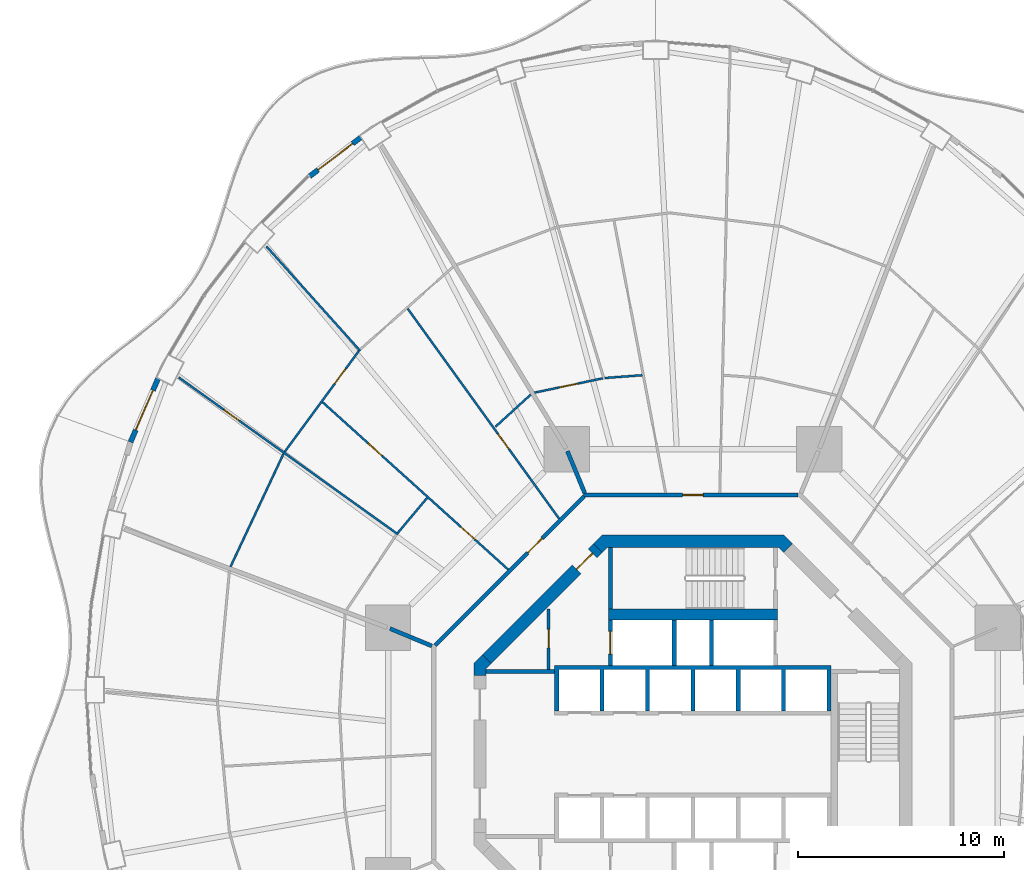
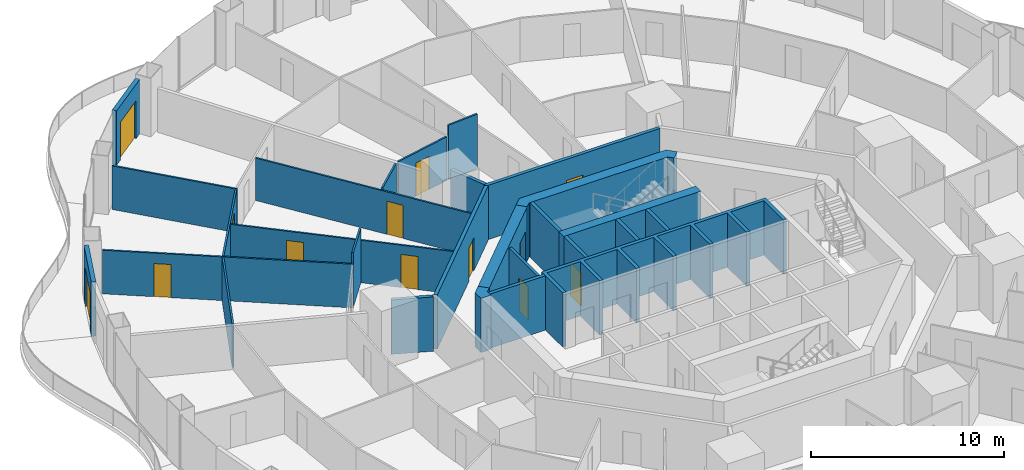
# One storey, part 17 of 22: 27 walls, 13 doors, 13 openings.
"""IFC4 building model written with IfcOpenShell, lengths in metres."""

from ifc_helpers import new_model, si_unit, direction, frame, frame_2d, origin, place, context, subcontext, project, spatial, polyline, rectangle, outline, extrude, material, layer, layer_set, type_object, element, fill, save


model = new_model("IFC4")

# Units and contexts
model_context = context("Model", 3, precision=1e-05, world=origin(), true_north=direction((0.0, 1.0)))
body_context = subcontext(model_context, "Body", "Model", "MODEL_VIEW")
ifc_project = project(units=[si_unit("LENGTHUNIT", "METRE"), si_unit("AREAUNIT", "SQUARE_METRE"), si_unit("VOLUMEUNIT", "CUBIC_METRE"), si_unit("PLANEANGLEUNIT", "RADIAN"), si_unit("MASSUNIT", "GRAM", prefix="KILO")], contexts=[model_context])

# Site, building, storey
site_placement = place(None, origin())
site = spatial("IfcSite", under=ifc_project, at=site_placement, CompositionType="ELEMENT")
building_placement = place(site_placement, origin())
building = spatial("IfcBuilding", under=site, at=building_placement, Name="Nagisa Residences", CompositionType="ELEMENT")
storey_placement = place(building_placement, frame((0.0, 0.0, 99.199951171875)))
storey = spatial("IfcBuildingStorey", under=building, at=storey_placement, Name="L24", CompositionType="ELEMENT", Elevation=99.199951171875)

# Walls
ifc_material_1 = material(Name="Gypsum board on steel studs", Category="steel")
ifc_layer_1 = layer(ifc_material_1, 0.199951171875)
ifc_layer_set_1 = layer_set([ifc_layer_1], Name="Apartment compartment wall EI60 200")
wall_type_1 = type_object("IfcWallType", Name="Apartment compartment wall EI60 200", PredefinedType="PARTITIONING", material=ifc_layer_set_1)
wall_1_placement = place(storey_placement, frame((-5.24267578125, 12.6572265625, 0.0), z_axis=(0.0, 0.0, 1.0), x_axis=(-0.38273085373, 0.923859888513, 0.0)))
element("IfcWall", 1, at=wall_1_placement, inside=storey, type_object=wall_type_1, Name="wall:L24:u02", PredefinedType="PARTITIONING", context=body_context, shape_type="SweptSolid", body=[
    extrude(rectangle(XDim=2.199462890625, YDim=0.199951171875, at=frame_2d((1.099609375, 0.0))), origin(), (0.0, 0.0, 1.0), 3.43994140625),
])
wall_2_placement = place(storey_placement, frame((-12.6572265625, 5.24267578125, 0.0), z_axis=(0.0, 0.0, 1.0), x_axis=(-0.923843626288, 0.382770106157, 0.0)))
element("IfcWall", 2, at=wall_2_placement, inside=storey, type_object=wall_type_1, Name="wall:L24:u04", PredefinedType="PARTITIONING", context=body_context, shape_type="SweptSolid", body=[
    extrude(rectangle(XDim=2.19921875, YDim=0.199951171875, at=frame_2d((1.099609375, 0.0))), origin(), (0.0, 0.0, 1.0), 3.43994140625),
])

# Wall, opening, door
ifc_material_2 = material(Name="Gypsum board on steel studs", Category="steel")
ifc_layer_2 = layer(ifc_material_2, 0.199951171875)
ifc_layer_set_2 = layer_set([ifc_layer_2], Name="Apartment entry wall EI60 200")
wall_type_2 = type_object("IfcWallType", Name="Apartment entry wall EI60 200", PredefinedType="PARTITIONING", material=ifc_layer_set_2)
wall_3_placement = place(storey_placement, frame((5.1044921875, 12.564697265625, 0.0), z_axis=(0.0, 0.0, 1.0), x_axis=(-1.0, 0.0, 0.0)))
wall_3 = element("IfcWall", 3, at=wall_3_placement, inside=storey, type_object=wall_type_2, Name="wall:L24:u12", PredefinedType="PARTITIONING", context=body_context, shape_type="SweptSolid", body=[
    extrude(rectangle(XDim=10.408935546875, YDim=0.199951171875, at=frame_2d((5.20458984375, 0.0))), origin(), (0.0, 0.0, 1.0), 3.43994140625),
])
opening_1_placement = place(wall_3_placement, frame((4.6044921875, 0.0, 0.0)))
opening_1 = element("IfcOpeningElement", 4, at=opening_1_placement, cuts=wall_3, Name="Opening L24-U41", PredefinedType="OPENING", context=body_context, shape_type="SweptSolid", body=[
    extrude(rectangle(XDim=1.0, YDim=2.10009765625, at=frame_2d((0.5, 1.050048828125))), frame((0.0, 0.10986328125, 0.0), z_axis=(0.0, -1.0, 0.0), x_axis=(1.0, 0.0, 0.0)), (0.0, 0.0, 1.0), 0.219970703125),
])
ifc_material_3 = material(Name="Timber fire door set", Category="wood")
door_type_1 = type_object("IfcDoorType", Name="Apartment entry door FD30S 1000x2100", OperationType="NOTDEFINED", PredefinedType="DOOR", material=ifc_material_3)
door_1_placement = place(opening_1_placement, frame((1.0, 0.0, 0.0), x_axis=(-1.0, 0.0, 0.0)))
door_1 = element("IfcDoor", 5, at=door_1_placement, inside=storey, type_object=door_type_1, Name="Entry door, Apartment 24D", OperationType="SINGLE_SWING_RIGHT", OverallHeight=2.10009765625, OverallWidth=1.0, PredefinedType="DOOR", context=body_context, shape_type="SweptSolid", body=[
    extrude(rectangle(XDim=1.0, YDim=2.10009765625, at=frame_2d((0.5, 1.050048828125))), frame((0.0, 0.02490234375, 0.0), z_axis=(0.0, -1.0, 0.0), x_axis=(1.0, 0.0, 0.0)), (0.0, 0.0, 1.0), 0.050048828125),
])
fill(opening_1, door_1)

wall_4_placement = place(storey_placement, frame((-5.275146484375, 12.494140625, 0.0), z_axis=(0.0, 0.0, 1.0), x_axis=(-0.707106781187, -0.707106781187, 0.0)))
wall_4 = element("IfcWall", 6, at=wall_4_placement, inside=storey, type_object=wall_type_2, Name="wall:L24:u13", PredefinedType="PARTITIONING", context=body_context, shape_type="SweptSolid", body=[
    extrude(rectangle(XDim=10.209228515625, YDim=0.199951171875, at=frame_2d((5.1044921875, 0.0))), origin(), (0.0, 0.0, 1.0), 3.43994140625),
])
opening_2_placement = place(wall_4_placement, frame((2.86962890625, 0.0, 0.0)))
opening_2 = element("IfcOpeningElement", 7, at=opening_2_placement, cuts=wall_4, Name="Opening L24-U50", PredefinedType="OPENING", context=body_context, shape_type="SweptSolid", body=[
    extrude(rectangle(XDim=1.0, YDim=2.10009765625, at=frame_2d((0.5, 1.050048828125))), frame((0.0, 0.10986328125, 0.0), z_axis=(0.0, -1.0, 0.0), x_axis=(1.0, 0.0, 0.0)), (0.0, 0.0, 1.0), 0.219970703125),
])
door_2_placement = place(opening_2_placement, frame((1.0, 0.0, 0.0), x_axis=(-1.0, 0.0, 0.0)))
door_2 = element("IfcDoor", 8, at=door_2_placement, inside=storey, type_object=door_type_1, Name="Entry door, Apartment 24E", OperationType="SINGLE_SWING_LEFT", OverallHeight=2.10009765625, OverallWidth=1.0, PredefinedType="DOOR", context=body_context, shape_type="SweptSolid", body=[
    extrude(rectangle(XDim=1.0, YDim=2.10009765625, at=frame_2d((0.5, 1.050048828125))), frame((0.0, 0.02490234375, 0.0), z_axis=(0.0, -1.0, 0.0), x_axis=(1.0, 0.0, 0.0)), (0.0, 0.0, 1.0), 0.050048828125),
])
fill(opening_2, door_2)

# Wall
ifc_material_4 = material(Name="Gypsum board on steel studs", Category="steel")
ifc_layer_3 = layer(ifc_material_4, 0.10009765625)
ifc_layer_set_3 = layer_set([ifc_layer_3], Name="Apartment partition 100")
wall_type_3 = type_object("IfcWallType", Name="Apartment partition 100", PredefinedType="PARTITIONING", material=ifc_layer_set_3)
wall_5_placement = place(storey_placement, frame((-2.453369140625, 18.374267578125, 0.0), z_axis=(0.0, 0.0, 1.0), x_axis=(-0.997153681897, -0.075395853197, 0.0)))
element("IfcWall", 9, at=wall_5_placement, inside=storey, type_object=wall_type_3, Name="wall:L24:u40", PredefinedType="PARTITIONING", context=body_context, shape_type="SweptSolid", body=[
    extrude(rectangle(XDim=1.822998046875, YDim=0.10009765625, at=frame_2d((0.91162109375, 0.0))), origin(), (0.0, 0.0, 1.0), 3.43994140625),
])

# Wall, opening, door
wall_6_placement = place(storey_placement, frame((-4.369873046875, 18.222900390625, 0.0), z_axis=(0.0, 0.0, 1.0), x_axis=(-0.978633053291, -0.205614559323, 0.0)))
wall_6 = element("IfcWall", 10, at=wall_6_placement, inside=storey, type_object=wall_type_3, Name="wall:L24:u42", PredefinedType="PARTITIONING", context=body_context, shape_type="SweptSolid", body=[
    extrude(rectangle(XDim=3.387451171875, YDim=0.10009765625, at=frame_2d((1.69384765625, 0.0))), origin(), (0.0, 0.0, 1.0), 2.761962890625),
])
opening_3_placement = place(wall_6_placement, frame((1.24365234375, 0.0, 0.0)))
opening_3 = element("IfcOpeningElement", 11, at=opening_3_placement, cuts=wall_6, Name="Opening L24-U46", PredefinedType="OPENING", context=body_context, shape_type="SweptSolid", body=[
    extrude(rectangle(XDim=0.89990234375, YDim=2.10009765625, at=frame_2d((0.449951171875, 1.050048828125))), frame((0.0, 0.06005859375, 0.0), z_axis=(0.0, -1.0, 0.0), x_axis=(1.0, 0.0, 0.0)), (0.0, 0.0, 1.0), 0.1201171875),
])
ifc_material_5 = material(Name="Timber door set", Category="wood")
door_type_2 = type_object("IfcDoorType", Name="Apartment door 900x2100", OperationType="NOTDEFINED", PredefinedType="DOOR", material=ifc_material_5)
door_3_placement = place(opening_3_placement, frame((0.89990234375, 0.0, 0.0), x_axis=(-1.0, 0.0, 0.0)))
door_3 = element("IfcDoor", 12, at=door_3_placement, inside=storey, type_object=door_type_2, Name="Door to kitchen, Apartment 24D", OperationType="SINGLE_SWING_LEFT", OverallHeight=2.10009765625, OverallWidth=0.89990234375, PredefinedType="DOOR", context=body_context, shape_type="SweptSolid", body=[
    extrude(rectangle(XDim=0.89990234375, YDim=2.10009765625, at=frame_2d((0.449951171875, 1.050048828125))), frame((0.0, 0.02490234375, 0.0), z_axis=(0.0, -1.0, 0.0), x_axis=(1.0, 0.0, 0.0)), (0.0, 0.0, 1.0), 0.050048828125),
])
fill(opening_3, door_3)

# Wall
wall_7_placement = place(storey_placement, frame((-7.856689453125, 17.438232421875, 0.0), z_axis=(0.0, 0.0, 1.0), x_axis=(-0.738883513135, -0.673833179665, 0.0)))
element("IfcWall", 13, at=wall_7_placement, inside=storey, type_object=wall_type_3, Name="wall:L24:u44", PredefinedType="PARTITIONING", context=body_context, shape_type="SweptSolid", body=[
    extrude(rectangle(XDim=2.3232421875, YDim=0.10009765625, at=frame_2d((1.16162109375, 0.0))), origin(), (0.0, 0.0, 1.0), 2.761962890625),
])

# Wall, opening, door
wall_8_placement = place(storey_placement, frame((-6.48974609375, 11.419189453125, 0.0), z_axis=(0.0, 0.0, 1.0), x_axis=(-0.584832823883, 0.811153849839, 0.0)))
wall_8 = element("IfcWall", 14, at=wall_8_placement, inside=storey, type_object=wall_type_3, Name="wall:L24:u46", PredefinedType="PARTITIONING", context=body_context, shape_type="SweptSolid", body=[
    extrude(rectangle(XDim=12.55322265625, YDim=0.10009765625, at=frame_2d((6.276611328125, 0.0))), origin(), (0.0, 0.0, 1.0), 2.68701171875),
])
opening_4_placement = place(wall_8_placement, frame((4.166015625, 0.0, 0.0)))
opening_4 = element("IfcOpeningElement", 15, at=opening_4_placement, cuts=wall_8, Name="Opening L24-U51", PredefinedType="OPENING", context=body_context, shape_type="SweptSolid", body=[
    extrude(rectangle(XDim=0.89990234375, YDim=2.10009765625, at=frame_2d((0.449951171875, 1.050048828125))), frame((0.0, 0.06005859375, 0.0), z_axis=(0.0, -1.0, 0.0), x_axis=(1.0, 0.0, 0.0)), (0.0, 0.0, 1.0), 0.1201171875),
])
door_4_placement = place(opening_4_placement, frame((0.89990234375, 0.0, 0.0), x_axis=(-1.0, 0.0, 0.0)))
door_4 = element("IfcDoor", 16, at=door_4_placement, inside=storey, type_object=door_type_2, Name="Door to family bathroom, Apartment 24E", OperationType="SINGLE_SWING_RIGHT", OverallHeight=2.10009765625, OverallWidth=0.89990234375, PredefinedType="DOOR", context=body_context, shape_type="SweptSolid", body=[
    extrude(rectangle(XDim=0.89990234375, YDim=2.10009765625, at=frame_2d((0.449951171875, 1.050048828125))), frame((0.0, 0.02490234375, 0.0), z_axis=(0.0, -1.0, 0.0), x_axis=(1.0, 0.0, 0.0)), (0.0, 0.0, 1.0), 0.050048828125),
])
fill(opening_4, door_4)

# Wall
wall_9_placement = place(storey_placement, frame((-16.13427734375, 19.554443359375, 0.0), z_axis=(0.0, 0.0, 1.0), x_axis=(-0.667985610263, 0.74417418961, 0.0)))
element("IfcWall", 17, at=wall_9_placement, inside=storey, type_object=wall_type_3, Name="wall:L24:u47", PredefinedType="PARTITIONING", context=body_context, shape_type="SweptSolid", body=[
    extrude(rectangle(XDim=6.809326171875, YDim=0.10009765625, at=frame_2d((3.40478515625, 0.0))), origin(), (0.0, 0.0, 1.0), 2.761962890625),
])

# Wall, opening, door
wall_10_placement = place(storey_placement, frame((-16.197265625, 19.55126953125, 0.0), z_axis=(0.0, 0.0, 1.0), x_axis=(-0.592391983588, -0.80564988536, 0.0)))
wall_10 = element("IfcWall", 18, at=wall_10_placement, inside=storey, type_object=wall_type_3, Name="wall:L24:u48", PredefinedType="PARTITIONING", context=body_context, shape_type="SweptSolid", body=[
    extrude(rectangle(XDim=6.080078125, YDim=0.10009765625, at=frame_2d((3.0400390625, 0.0))), origin(), (0.0, 0.0, 1.0), 2.761962890625),
])
opening_5_placement = place(wall_10_placement, frame((1.070068359375, 0.0, 0.0)))
opening_5 = element("IfcOpeningElement", 19, at=opening_5_placement, cuts=wall_10, Name="Opening L24-U56", PredefinedType="OPENING", context=body_context, shape_type="SweptSolid", body=[
    extrude(rectangle(XDim=0.89990234375, YDim=2.10009765625, at=frame_2d((0.449951171875, 1.050048828125))), frame((0.0, 0.06005859375, 0.0), z_axis=(0.0, -1.0, 0.0), x_axis=(1.0, 0.0, 0.0)), (0.0, 0.0, 1.0), 0.1201171875),
])
door_5_placement = place(opening_5_placement, frame((0.89990234375, 0.0, 0.0), x_axis=(-1.0, 0.0, 0.0)))
door_5 = element("IfcDoor", 20, at=door_5_placement, inside=storey, type_object=door_type_2, Name="Door to dining room, Apartment 24E", OperationType="SINGLE_SWING_LEFT", OverallHeight=2.10009765625, OverallWidth=0.89990234375, PredefinedType="DOOR", context=body_context, shape_type="SweptSolid", body=[
    extrude(rectangle(XDim=0.89990234375, YDim=2.10009765625, at=frame_2d((0.449951171875, 1.050048828125))), frame((0.0, 0.02490234375, 0.0), z_axis=(0.0, -1.0, 0.0), x_axis=(1.0, 0.0, 0.0)), (0.0, 0.0, 1.0), 0.050048828125),
])
fill(opening_5, door_5)

# Wall, openings, doors
wall_11_placement = place(storey_placement, frame((-8.958984375, 8.95166015625, 0.0), z_axis=(0.0, 0.0, 1.0), x_axis=(-0.742679904999, 0.669646592398, 0.0)))
wall_11 = element("IfcWall", 21, at=wall_11_placement, inside=storey, type_object=wall_type_3, Name="wall:L24:u49", PredefinedType="PARTITIONING", context=body_context, shape_type="SweptSolid", body=[
    extrude(rectangle(XDim=12.121337890625, YDim=0.10009765625, at=frame_2d((6.060546875, 0.0))), origin(), (0.0, 0.0, 1.0), 2.68701171875),
])
opening_6_placement = place(wall_11_placement, frame((2.172119140625, 0.0, 0.0)))
opening_6 = element("IfcOpeningElement", 22, at=opening_6_placement, cuts=wall_11, Name="Opening L24-U52", PredefinedType="OPENING", context=body_context, shape_type="SweptSolid", body=[
    extrude(rectangle(XDim=0.89990234375, YDim=2.10009765625, at=frame_2d((0.449951171875, 1.050048828125))), frame((0.0, 0.06005859375, 0.0), z_axis=(0.0, -1.0, 0.0), x_axis=(1.0, 0.0, 0.0)), (0.0, 0.0, 1.0), 0.1201171875),
])
opening_7_placement = place(wall_11_placement, frame((8.232666015625, 0.0, 0.0)))
opening_7 = element("IfcOpeningElement", 23, at=opening_7_placement, cuts=wall_11, Name="Opening L24-U53", PredefinedType="OPENING", context=body_context, shape_type="SweptSolid", body=[
    extrude(rectangle(XDim=0.89990234375, YDim=2.10009765625, at=frame_2d((0.449951171875, 1.050048828125))), frame((0.0, 0.06005859375, 0.0), z_axis=(0.0, -1.0, 0.0), x_axis=(1.0, 0.0, 0.0)), (0.0, 0.0, 1.0), 0.1201171875),
])
door_6_placement = place(opening_6_placement, origin())
door_6 = element("IfcDoor", 24, at=door_6_placement, inside=storey, type_object=door_type_2, Name="Door to store, Apartment 24E", OperationType="SINGLE_SWING_RIGHT", OverallHeight=2.10009765625, OverallWidth=0.89990234375, PredefinedType="DOOR", context=body_context, shape_type="SweptSolid", body=[
    extrude(rectangle(XDim=0.89990234375, YDim=2.10009765625, at=frame_2d((0.449951171875, 1.050048828125))), frame((0.0, 0.02490234375, 0.0), z_axis=(0.0, -1.0, 0.0), x_axis=(1.0, 0.0, 0.0)), (0.0, 0.0, 1.0), 0.050048828125),
])
fill(opening_6, door_6)
door_7_placement = place(opening_7_placement, origin())
door_7 = element("IfcDoor", 25, at=door_7_placement, inside=storey, type_object=door_type_2, Name="Door to family bathroom, Apartment 24E", OperationType="SINGLE_SWING_LEFT", OverallHeight=2.10009765625, OverallWidth=0.89990234375, PredefinedType="DOOR", context=body_context, shape_type="SweptSolid", body=[
    extrude(rectangle(XDim=0.89990234375, YDim=2.10009765625, at=frame_2d((0.449951171875, 1.050048828125))), frame((0.0, 0.02490234375, 0.0), z_axis=(0.0, -1.0, 0.0), x_axis=(1.0, 0.0, 0.0)), (0.0, 0.0, 1.0), 0.050048828125),
])
fill(opening_7, door_7)

# Wall
wall_12_placement = place(storey_placement, frame((-12.885498046875, 12.4248046875, 0.0), z_axis=(0.0, 0.0, 1.0), x_axis=(-0.642551826067, -0.766242227248, 0.0)))
element("IfcWall", 26, at=wall_12_placement, inside=storey, type_object=wall_type_3, Name="wall:L24:u50", PredefinedType="PARTITIONING", context=body_context, shape_type="SweptSolid", body=[
    extrude(rectangle(XDim=2.218505859375, YDim=0.10009765625, at=frame_2d((1.109375, 0.0))), origin(), (0.0, 0.0, 1.0), 3.43994140625),
])

# Wall, opening, door
wall_13_placement = place(storey_placement, frame((-14.302490234375, 10.657470703125, 0.0), z_axis=(0.0, 0.0, 1.0), x_axis=(-0.813183002698, 0.582008079087, 0.0)))
wall_13 = element("IfcWall", 27, at=wall_13_placement, inside=storey, type_object=wall_type_3, Name="wall:L24:u51", PredefinedType="PARTITIONING", context=body_context, shape_type="SweptSolid", body=[
    extrude(rectangle(XDim=13.074462890625, YDim=0.10009765625, at=frame_2d((6.537109375, 0.0))), origin(), (0.0, 0.0, 1.0), 2.761962890625),
])
opening_8_placement = place(wall_13_placement, frame((9.485107421875, 0.0, 0.0)))
opening_8 = element("IfcOpeningElement", 28, at=opening_8_placement, cuts=wall_13, Name="Opening L24-U57", PredefinedType="OPENING", context=body_context, shape_type="SweptSolid", body=[
    extrude(rectangle(XDim=0.89990234375, YDim=2.10009765625, at=frame_2d((0.449951171875, 1.050048828125))), frame((0.0, 0.06005859375, 0.0), z_axis=(0.0, -1.0, 0.0), x_axis=(1.0, 0.0, 0.0)), (0.0, 0.0, 1.0), 0.1201171875),
])
door_8_placement = place(opening_8_placement, origin())
door_8 = element("IfcDoor", 29, at=door_8_placement, inside=storey, type_object=door_type_2, Name="Door to living room, Apartment 24E", OperationType="SINGLE_SWING_LEFT", OverallHeight=2.10009765625, OverallWidth=0.89990234375, PredefinedType="DOOR", context=body_context, shape_type="SweptSolid", body=[
    extrude(rectangle(XDim=0.89990234375, YDim=2.10009765625, at=frame_2d((0.449951171875, 1.050048828125))), frame((0.0, 0.02490234375, 0.0), z_axis=(0.0, -1.0, 0.0), x_axis=(1.0, 0.0, 0.0)), (0.0, 0.0, 1.0), 0.050048828125),
])
fill(opening_8, door_8)

# Wall
wall_14_placement = place(storey_placement, frame((-19.85009765625, 14.5673828125, 0.0), z_axis=(0.0, 0.0, 1.0), x_axis=(-0.424942210745, -0.905220480064, 0.0)))
element("IfcWall", 30, at=wall_14_placement, inside=storey, type_object=wall_type_3, Name="wall:L24:u53", PredefinedType="PARTITIONING", context=body_context, shape_type="SweptSolid", body=[
    extrude(rectangle(XDim=6.05322265625, YDim=0.10009765625, at=frame_2d((3.026611328125, 0.0))), origin(), (0.0, 0.0, 1.0), 2.761962890625),
])

# Wall, opening, door
ifc_material_6 = material(Name="Precast concrete C40/50", Category="concrete")
ifc_layer_4 = layer(ifc_material_6, 0.25)
ifc_layer_set_4 = layer_set([ifc_layer_4], Name="BALCONY DOOR WALL 250")
wall_type_4 = type_object("IfcWallType", Name="BALCONY DOOR WALL 250", PredefinedType="SOLIDWALL", material=ifc_layer_set_4)
wall_15_placement = place(storey_placement, frame((-18.583984375, 28.020751953125, 0.0), z_axis=(0.0, 0.0, 1.0), x_axis=(0.796037575978, 0.605247203736, 0.0)))
wall_15 = element("IfcWall", 31, at=wall_15_placement, inside=storey, type_object=wall_type_4, Name="wall:L24:bay16", PredefinedType="SOLIDWALL", context=body_context, shape_type="SweptSolid", body=[
    extrude(rectangle(XDim=3.1337890625, YDim=0.25, at=frame_2d((1.56689453125, 0.0))), origin(), (0.0, 0.0, 1.0), 3.43994140625),
])
opening_9_placement = place(wall_15_placement, frame((0.51708984375, 0.0, 0.0)))
opening_9 = element("IfcOpeningElement", 32, at=opening_9_placement, cuts=wall_15, Name="Opening BD-L24-06", PredefinedType="OPENING", context=body_context, shape_type="SweptSolid", body=[
    extrude(rectangle(XDim=2.10009765625, YDim=2.39990234375, at=frame_2d((1.050048828125, 1.199951171875))), frame((0.0, 0.135009765625, 0.0), z_axis=(0.0, -1.0, 0.0), x_axis=(1.0, 0.0, 0.0)), (0.0, 0.0, 1.0), 0.27001953125),
])
ifc_material_7 = material(Name="Aluminium and clear glass", Category="aluminium")
door_type_3 = type_object("IfcDoorType", Name="BALCONY SLIDING DOOR 2100x2400", OperationType="SLIDING_TO_LEFT", PredefinedType="DOOR", material=ifc_material_7)
door_9_placement = place(opening_9_placement, origin())
door_9 = element("IfcDoor", 33, at=door_9_placement, inside=storey, type_object=door_type_3, Name="door:L24:bay16", OperationType="SLIDING_TO_LEFT", OverallHeight=2.39990234375, OverallWidth=2.10009765625, PredefinedType="DOOR", context=body_context, shape_type="SweptSolid", body=[
    extrude(rectangle(XDim=2.10009765625, YDim=2.39990234375, at=frame_2d((1.050048828125, 1.199951171875))), frame((0.0, 0.02490234375, 0.0), z_axis=(0.0, -1.0, 0.0), x_axis=(1.0, 0.0, 0.0)), (0.0, 0.0, 1.0), 0.050048828125),
])
fill(opening_9, door_9)

wall_16_placement = place(storey_placement, frame((-27.272216796875, 15.128173828125, 0.0), z_axis=(0.0, 0.0, 1.0), x_axis=(0.397682447205, 0.917523117521, 0.0)))
wall_16 = element("IfcWall", 34, at=wall_16_placement, inside=storey, type_object=wall_type_4, Name="wall:L24:bay20", PredefinedType="SOLIDWALL", context=body_context, shape_type="SweptSolid", body=[
    extrude(rectangle(XDim=3.379638671875, YDim=0.25, at=frame_2d((1.68994140625, 0.0))), origin(), (0.0, 0.0, 1.0), 3.43994140625),
])
opening_10_placement = place(wall_16_placement, frame((0.6396484375, 0.0, 0.0)))
opening_10 = element("IfcOpeningElement", 35, at=opening_10_placement, cuts=wall_16, Name="Opening BD-L24-07", PredefinedType="OPENING", context=body_context, shape_type="SweptSolid", body=[
    extrude(rectangle(XDim=2.10009765625, YDim=2.39990234375, at=frame_2d((1.050048828125, 1.199951171875))), frame((0.0, 0.135009765625, 0.0), z_axis=(0.0, -1.0, 0.0), x_axis=(1.0, 0.0, 0.0)), (0.0, 0.0, 1.0), 0.27001953125),
])
door_10_placement = place(opening_10_placement, origin())
door_10 = element("IfcDoor", 36, at=door_10_placement, inside=storey, type_object=door_type_3, Name="door:L24:bay20", OperationType="SLIDING_TO_LEFT", OverallHeight=2.39990234375, OverallWidth=2.10009765625, PredefinedType="DOOR", context=body_context, shape_type="SweptSolid", body=[
    extrude(rectangle(XDim=2.10009765625, YDim=2.39990234375, at=frame_2d((1.050048828125, 1.199951171875))), frame((0.0, 0.02490234375, 0.0), z_axis=(0.0, -1.0, 0.0), x_axis=(1.0, 0.0, 0.0)), (0.0, 0.0, 1.0), 0.050048828125),
])
fill(opening_10, door_10)

ifc_material_8 = material(Name="Gypsum board on steel studs", Category="steel")
ifc_layer_5 = layer(ifc_material_8, 0.14990234375)
ifc_layer_set_5 = layer_set([ifc_layer_5], Name="Core partition 150")
wall_type_5 = type_object("IfcWallType", Name="Core partition 150", PredefinedType="PARTITIONING", material=ifc_layer_set_5)
wall_17_placement = place(storey_placement, frame((-7.0, 4.10009765625, 0.0), z_axis=(0.0, 0.0, 1.0), x_axis=(0.0, 1.0, 0.0)))
wall_17 = element("IfcWall", 37, at=wall_17_placement, inside=storey, type_object=wall_type_5, Name="wall:L24:NWp", PredefinedType="PARTITIONING", context=body_context, shape_type="SweptSolid", body=[
    extrude(rectangle(XDim=2.9267578125, YDim=0.14990234375, at=frame_2d((1.46337890625, 0.0))), origin(), (0.0, 0.0, 1.0), 3.43994140625),
])
opening_11_placement = place(wall_17_placement, frame((1.051025390625, 0.0, 0.0)))
opening_11 = element("IfcOpeningElement", 38, at=opening_11_placement, cuts=wall_17, Name="Opening L24-C12", PredefinedType="OPENING", context=body_context, shape_type="SweptSolid", body=[
    extrude(rectangle(XDim=0.89990234375, YDim=2.10009765625, at=frame_2d((0.449951171875, 1.050048828125))), frame((0.0, 0.0849609375, 0.0), z_axis=(0.0, -1.0, 0.0), x_axis=(1.0, 0.0, 0.0)), (0.0, 0.0, 1.0), 0.169921875),
])
ifc_material_9 = material(Name="Steel fire door", Category="steel")
door_type_4 = type_object("IfcDoorType", Name="Fire door EI30 900x2100 single swing", OperationType="NOTDEFINED", PredefinedType="DOOR", material=ifc_material_9)
door_11_placement = place(opening_11_placement, origin())
door_11 = element("IfcDoor", 39, at=door_11_placement, inside=storey, type_object=door_type_4, Name="Hose reel room door L24", OperationType="SINGLE_SWING_LEFT", OverallHeight=2.10009765625, OverallWidth=0.89990234375, PredefinedType="DOOR", context=body_context, shape_type="SweptSolid", body=[
    extrude(rectangle(XDim=0.89990234375, YDim=2.10009765625, at=frame_2d((0.449951171875, 1.050048828125))), frame((0.0, 0.02490234375, 0.0), z_axis=(0.0, -1.0, 0.0), x_axis=(1.0, 0.0, 0.0)), (0.0, 0.0, 1.0), 0.050048828125),
])
fill(opening_11, door_11)

# Wall
ifc_material_10 = material(Name="Gypsum board on steel studs", Category="steel")
ifc_layer_6 = layer(ifc_material_10, 0.199951171875)
ifc_layer_set_6 = layer_set([ifc_layer_6], Name="Core partition 200")
wall_type_6 = type_object("IfcWallType", Name="Core partition 200", PredefinedType="PARTITIONING", material=ifc_layer_set_6)
wall_18_placement = place(storey_placement, frame((-10.024658203125, 4.0, 0.0), z_axis=(0.0, 0.0, 1.0), x_axis=(1.0, 0.0, 0.0)))
element("IfcWall", 40, at=wall_18_placement, inside=storey, type_object=wall_type_6, Name="wall:L24:PNW", PredefinedType="PARTITIONING", context=body_context, shape_type="SweptSolid", body=[
    extrude(rectangle(XDim=3.32470703125, YDim=0.199951171875, at=frame_2d((1.662353515625, 0.0))), origin(), (0.0, 0.0, 1.0), 3.43994140625),
])

# Wall, opening, door
ifc_material_11 = material(Name="Concrete C60", Category="concrete")
ifc_layer_7 = layer(ifc_material_11, 0.60009765625)
ifc_layer_set_7 = layer_set([ifc_layer_7], Name="Core shear wall 600")
wall_type_7 = type_object("IfcWallType", Name="Core shear wall 600", PredefinedType="SHEAR", material=ifc_layer_set_7)
wall_19_placement = place(storey_placement, frame((-4.613037109375, 9.98828125, 0.0), z_axis=(0.0, 0.0, 1.0), x_axis=(-0.707106781187, -0.707106781187, 0.0)))
wall_19 = element("IfcWall", 41, at=wall_19_placement, inside=storey, type_object=wall_type_7, Name="wall:L24:core:flat3", PredefinedType="SHEAR", context=body_context, shape_type="SweptSolid", body=[
    extrude(rectangle(XDim=7.601806640625, YDim=0.60009765625, at=frame_2d((3.80078125, 0.0))), origin(), (0.0, 0.0, 1.0), 3.43994140625),
])
opening_12_placement = place(wall_19_placement, frame((0.350830078125, 0.0, 0.0)))
opening_12 = element("IfcOpeningElement", 42, at=opening_12_placement, cuts=wall_19, Name="Opening L24-C19", PredefinedType="OPENING", context=body_context, shape_type="SweptSolid", body=[
    extrude(rectangle(XDim=1.10009765625, YDim=2.10009765625, at=frame_2d((0.550048828125, 1.050048828125))), frame((0.0, 0.31005859375, 0.0), z_axis=(0.0, -1.0, 0.0), x_axis=(1.0, 0.0, 0.0)), (0.0, 0.0, 1.0), 0.6201171875),
])
ifc_material_12 = material(Name="Steel fire door", Category="steel")
door_type_5 = type_object("IfcDoorType", Name="Fire door EI60 1100x2100 single swing", OperationType="NOTDEFINED", PredefinedType="DOOR", material=ifc_material_12)
door_12_placement = place(opening_12_placement, origin())
door_12 = element("IfcDoor", 43, at=door_12_placement, inside=storey, type_object=door_type_5, Name="Service lobby door L24", OperationType="SINGLE_SWING_LEFT", OverallHeight=2.10009765625, OverallWidth=1.10009765625, PredefinedType="DOOR", context=body_context, shape_type="SweptSolid", body=[
    extrude(rectangle(XDim=1.10009765625, YDim=2.10009765625, at=frame_2d((0.550048828125, 1.050048828125))), frame((0.0, 0.02490234375, 0.0), z_axis=(0.0, -1.0, 0.0), x_axis=(1.0, 0.0, 0.0)), (0.0, 0.0, 1.0), 0.050048828125),
])
fill(opening_12, door_12)

# Walls
wall_20_placement = place(storey_placement, origin())
element("IfcWall", 44, at=wall_20_placement, inside=storey, type_object=wall_type_7, Name="wall:L24:core:pier3", PredefinedType="SHEAR", context=body_context, shape_type="SweptSolid", body=[
    extrude(outline(polyline([(-10.200439453125, 4.8251953125), (-9.776123046875, 4.40087890625), (-10.024658203125, 4.15234375), (-10.024658203125, 3.80078125), (-10.62451171875, 3.80078125), (-10.62451171875, 4.40087890625), (-10.200439453125, 4.8251953125)])), origin(), (0.0, 0.0, 1.0), 3.43994140625),
])
wall_21_placement = place(storey_placement, origin())
element("IfcWall", 45, at=wall_21_placement, inside=storey, type_object=wall_type_7, Name="wall:L24:core:flat2", PredefinedType="SHEAR", context=body_context, shape_type="SweptSolid", body=[
    extrude(outline(polyline([(-4.15234375, 10.024658203125), (-4.40087890625, 9.776123046875), (-4.8251953125, 10.200439453125), (-4.40087890625, 10.62451171875), (4.40087890625, 10.62451171875), (4.8251953125, 10.200439453125), (4.40087890625, 9.776123046875), (4.15234375, 10.024658203125), (-4.15234375, 10.024658203125)])), origin(), (0.0, 0.0, 1.0), 3.43994140625),
])

# Wall, opening, door
ifc_material_13 = material(Name="Concrete C60", Category="concrete")
ifc_layer_8 = layer(ifc_material_13, 0.199951171875)
ifc_layer_set_8 = layer_set([ifc_layer_8], Name="Lift shaft wall 200")
wall_type_8 = type_object("IfcWallType", Name="Lift shaft wall 200", PredefinedType="SOLIDWALL", material=ifc_layer_set_8)
wall_22_placement = place(storey_placement, frame((-4.0, 4.300048828125, 0.0), z_axis=(0.0, 0.0, 1.0), x_axis=(0.0, 1.0, 0.0)))
wall_22 = element("IfcWall", 46, at=wall_22_placement, inside=storey, type_object=wall_type_8, Name="wall:L24:Nb4", PredefinedType="SOLIDWALL", context=body_context, shape_type="SweptSolid", body=[
    extrude(rectangle(XDim=2.199951171875, YDim=0.199951171875, at=frame_2d((1.10009765625, 0.0))), origin(), (0.0, 0.0, 1.0), 3.43994140625),
])
opening_13_placement = place(wall_22_placement, frame((0.550048828125, 0.0, 0.0)))
opening_13 = element("IfcOpeningElement", 47, at=opening_13_placement, cuts=wall_22, Name="Opening L24-C08", PredefinedType="OPENING", context=body_context, shape_type="SweptSolid", body=[
    extrude(rectangle(XDim=1.10009765625, YDim=2.10009765625, at=frame_2d((0.550048828125, 1.050048828125))), frame((0.0, 0.10986328125, 0.0), z_axis=(0.0, -1.0, 0.0), x_axis=(1.0, 0.0, 0.0)), (0.0, 0.0, 1.0), 0.219970703125),
])
ifc_material_14 = material(Name="Stainless steel", Category="steel")
door_type_6 = type_object("IfcDoorType", Name="Lift landing door 1100x2100", OperationType="DOUBLE_DOOR_SLIDING", PredefinedType="DOOR", material=ifc_material_14)
door_13_placement = place(opening_13_placement, origin())
door_13 = element("IfcDoor", 48, at=door_13_placement, inside=storey, type_object=door_type_6, Name="Landing door SV L24", OperationType="DOUBLE_DOOR_SLIDING", OverallHeight=2.10009765625, OverallWidth=1.10009765625, PredefinedType="DOOR", context=body_context, shape_type="SweptSolid", body=[
    extrude(rectangle(XDim=1.10009765625, YDim=2.10009765625, at=frame_2d((0.550048828125, 1.050048828125))), frame((0.0, 0.02490234375, 0.0), z_axis=(0.0, -1.0, 0.0), x_axis=(1.0, 0.0, 0.0)), (0.0, 0.0, 1.0), 0.050048828125),
])
fill(opening_13, door_13)

# Walls
for number, where, z_axis, x_axis, name in (
    (49, (-0.89990234375, 4.300048828125, 0.0), (0.0, 0.0, 1.0), (0.0, 1.0, 0.0), "wall:L24:Nb1"),
    (50, (0.89990234375, 4.300048828125, 0.0), (0.0, 0.0, 1.0), (0.0, 1.0, 0.0), "wall:L24:Nb2"),
):
    element("IfcWall", number, at=place(storey_placement, frame(where, z_axis=z_axis, x_axis=x_axis)), inside=storey, type_object=wall_type_8, Name=name, PredefinedType="SOLIDWALL", context=body_context, shape_type="SweptSolid", body=[
        extrude(rectangle(XDim=2.199951171875, YDim=0.199951171875, at=frame_2d((1.10009765625, 0.0))), origin(), (0.0, 0.0, 1.0), 3.43994140625),
    ])
wall_23_placement = place(storey_placement, origin())
element("IfcWall", 51, at=wall_23_placement, inside=storey, type_object=wall_type_8, Name="wall:L24:Nback", PredefinedType="SOLIDWALL", context=body_context, shape_type="SweptSolid", body=[
    extrude(outline(polyline([(-6.5, 2.10009765625), (-6.699951171875, 2.10009765625), (-6.699951171875, 4.300048828125), (6.699951171875, 4.300048828125), (6.699951171875, 2.10009765625), (6.5, 2.10009765625), (6.5, 4.10009765625), (4.5, 4.10009765625), (4.5, 2.10009765625), (4.300048828125, 2.10009765625), (4.300048828125, 4.10009765625), (2.300048828125, 4.10009765625), (2.300048828125, 2.10009765625), (2.10009765625, 2.10009765625), (2.10009765625, 4.10009765625), (0.10009765625, 4.10009765625), (0.10009765625, 2.10009765625), (-0.10009765625, 2.10009765625), (-0.10009765625, 4.10009765625), (-2.10009765625, 4.10009765625), (-2.10009765625, 2.10009765625), (-2.300048828125, 2.10009765625), (-2.300048828125, 4.10009765625), (-4.300048828125, 4.10009765625), (-4.300048828125, 2.10009765625), (-4.5, 2.10009765625), (-4.5, 4.10009765625), (-6.5, 4.10009765625), (-6.5, 2.10009765625)])), origin(), (0.0, 0.0, 1.0), 3.43994140625),
])
ifc_material_15 = material(Name="Concrete C60", Category="concrete")
ifc_layer_9 = layer(ifc_material_15, 0.199951171875)
ifc_layer_set_9 = layer_set([ifc_layer_9], Name="Stair enclosure wall 200")
wall_type_9 = type_object("IfcWallType", Name="Stair enclosure wall 200", PredefinedType="SOLIDWALL", material=ifc_layer_set_9)
wall_24_placement = place(storey_placement, origin())
element("IfcWall", 52, at=wall_24_placement, inside=storey, type_object=wall_type_9, Name="wall:L24:SN_w", PredefinedType="SOLIDWALL", context=body_context, shape_type="SweptSolid", body=[
    extrude(outline(polyline([(-3.89990234375, 7.024658203125), (-4.10009765625, 7.024658203125), (-4.10009765625, 10.024658203125), (-3.89990234375, 10.024658203125), (-3.89990234375, 7.024658203125)])), origin(), (0.0, 0.0, 1.0), 3.43994140625),
])
wall_25_placement = place(storey_placement, origin())
element("IfcWall", 53, at=wall_25_placement, inside=storey, type_object=wall_type_9, Name="wall:L24:SN_s", PredefinedType="SOLIDWALL", context=body_context, shape_type="SweptSolid", body=[
    extrude(outline(polyline([(4.10009765625, 6.5), (-4.10009765625, 6.5), (-4.10009765625, 7.024658203125), (4.10009765625, 7.024658203125), (4.10009765625, 6.5)])), origin(), (0.0, 0.0, 1.0), 3.43994140625),
])

save(model, "model.ifc")
